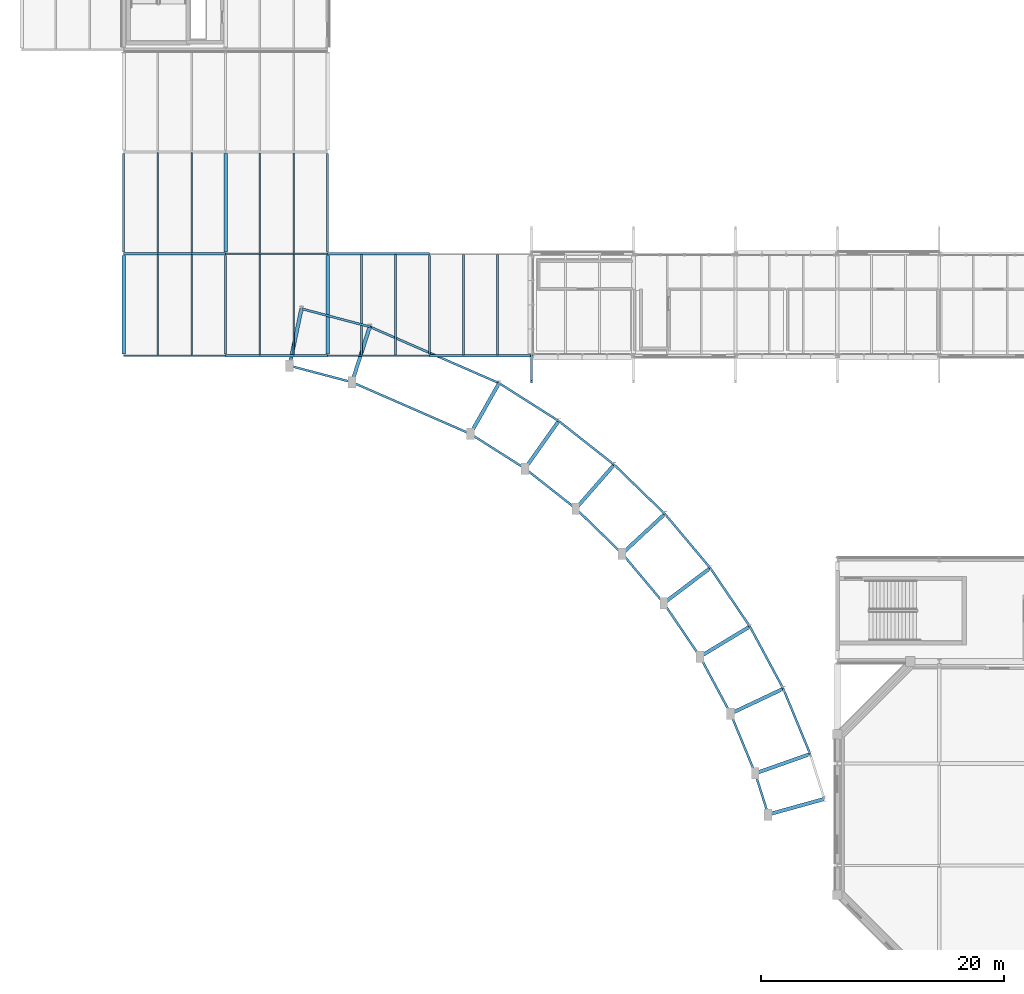
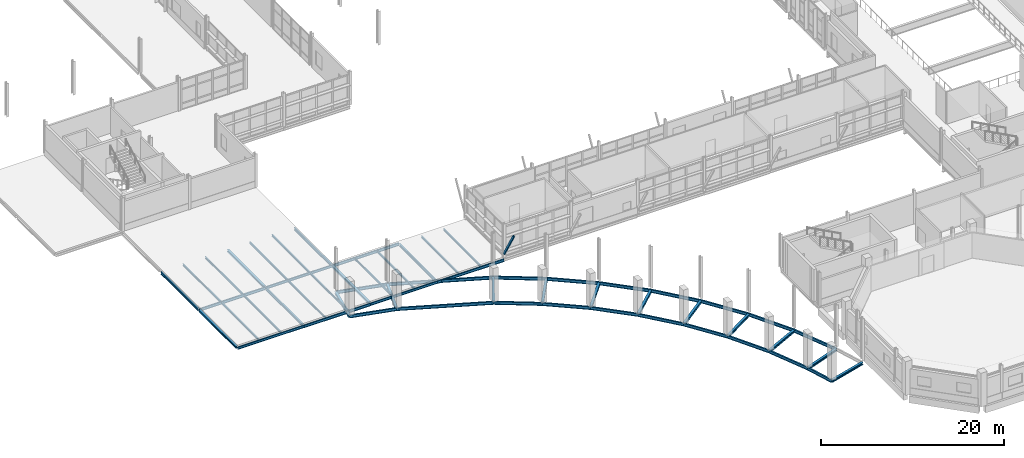
# One storey, part 19 of 129: 56 beams, 1 member.
"""IFC4 building model written with IfcOpenShell, lengths in metres."""

from ifc_helpers import new_model, si_unit, direction, frame, origin, origin_2d, place, context, subcontext, project, spatial, hollow_rectangle, i_section, extrude, material, material_profile, profile_set, type_object, element, save


model = new_model("IFC4")

# Units and contexts
model_context = context("Model", 3, precision=1e-05, world=origin(), true_north=direction((0.0, 1.0)))
body_context = subcontext(model_context, "Body", "Model", "MODEL_VIEW")
ifc_project = project(units=[si_unit("LENGTHUNIT", "METRE"), si_unit("AREAUNIT", "SQUARE_METRE"), si_unit("VOLUMEUNIT", "CUBIC_METRE"), si_unit("PLANEANGLEUNIT", "RADIAN"), si_unit("MASSUNIT", "GRAM", prefix="KILO")], contexts=[model_context])

# Site, building, storey
site_placement = place(None, origin())
site = spatial("IfcSite", under=ifc_project, at=site_placement, CompositionType="ELEMENT")
building_placement = place(site_placement, origin())
building = spatial("IfcBuilding", under=site, at=building_placement, Name="Mersafa Astral City Hall", CompositionType="ELEMENT")
storey_placement = place(building_placement, frame((0.0, 0.0, 5.39990234375)))
storey = spatial("IfcBuildingStorey", under=building, at=storey_placement, Name="L01", CompositionType="ELEMENT", Elevation=5.39990234375)

# Beams
ifc_material = material(Name="Steel S355", Category="steel")
ifc_material_profile_1 = material_profile(ifc_material, i_section(OverallWidth=0.300048828125, OverallDepth=0.31005859375, WebThickness=0.009033203125, FlangeThickness=0.015380859375, FilletRadius=0.027099609375, at=origin_2d()), Name="HEA 320")
ifc_profile_set_1 = profile_set([ifc_material_profile_1], Name="Steel S355")
beam_type_1 = type_object("IfcBeamType", Name="STR-BM-HEA320", PredefinedType="BEAM", material=ifc_profile_set_1)
for number, where, z_axis, x_axis, name in (
    (1, (22.06298828125, 49.57568359375, -0.429931640625), (0.20512604742, 0.97873556422, 0.0), (-0.97873556422, 0.20512604742, 0.0), "L01 Arcade radial tie beam 1"),
    (2, (27.21435546875, 48.217529296875, -0.429931640625), (0.304162941313, 0.952620021379, 0.0), (-0.952620021379, 0.304162941313, 0.0), "L01 Arcade radial tie beam 2"),
):
    element("IfcBeam", number, at=place(storey_placement, frame(where, z_axis=z_axis, x_axis=x_axis)), inside=storey, type_object=beam_type_1, Name=name, PredefinedType="BEAM", context=body_context, shape_type="SweptSolid", body=[
        extrude(i_section(OverallWidth=0.300048828125, OverallDepth=0.31005859375, WebThickness=0.009033203125, FlangeThickness=0.015380859375, FilletRadius=0.027099609375, at=origin_2d()), origin(), (0.0, 0.0, 1.0), 4.800048828125),
    ])
beam_1_placement = place(storey_placement, frame((36.96630859375, 43.9609375, -0.429931640625), z_axis=(0.491750513483, 0.870736144012, 0.0), x_axis=(-0.870736144012, 0.491750513483, 0.0)))
element("IfcBeam", 3, at=beam_1_placement, inside=storey, type_object=beam_type_1, Name="L01 Arcade radial tie beam 3", PredefinedType="BEAM", context=body_context, shape_type="SweptSolid", body=[
    extrude(i_section(OverallWidth=0.300048828125, OverallDepth=0.31005859375, WebThickness=0.009033203125, FlangeThickness=0.015380859375, FilletRadius=0.027099609375, at=origin_2d()), origin(), (0.0, 0.0, 1.0), 4.7998046875),
])
for number, where, z_axis, x_axis, name in (
    (4, (41.46484375, 41.107177734375, -0.429931640625), (0.578207839869, 0.815889510849, 0.0), (-0.815889510849, 0.578207839869, 0.0), "L01 Arcade radial tie beam 4"),
    (5, (45.647705078125, 37.808349609375, -0.429931640625), (0.658681036256, 0.752422283347, 0.0), (-0.752422283347, 0.658681036256, 0.0), "L01 Arcade radial tie beam 5"),
):
    element("IfcBeam", number, at=place(storey_placement, frame(where, z_axis=z_axis, x_axis=x_axis)), inside=storey, type_object=beam_type_1, Name=name, PredefinedType="BEAM", context=body_context, shape_type="SweptSolid", body=[
        extrude(i_section(OverallWidth=0.300048828125, OverallDepth=0.31005859375, WebThickness=0.009033203125, FlangeThickness=0.015380859375, FilletRadius=0.027099609375, at=origin_2d()), origin(), (0.0, 0.0, 1.0), 4.800048828125),
    ])
beam_2_placement = place(storey_placement, frame((49.47119140625, 34.0986328125, -0.429931640625), z_axis=(0.732179069522, 0.681112186174, 0.0), x_axis=(-0.681112186174, 0.732179069522, 0.0)))
element("IfcBeam", 6, at=beam_2_placement, inside=storey, type_object=beam_type_1, Name="L01 Arcade radial tie beam 6", PredefinedType="BEAM", context=body_context, shape_type="SweptSolid", body=[
    extrude(i_section(OverallWidth=0.300048828125, OverallDepth=0.31005859375, WebThickness=0.009033203125, FlangeThickness=0.015380859375, FilletRadius=0.027099609375, at=origin_2d()), origin(), (0.0, 0.0, 1.0), 4.7998046875),
])
for number, where, z_axis, x_axis, name in (
    (7, (52.89501953125, 30.017333984375, -0.429931640625), (0.798030386846, 0.602617209902, 0.0), (-0.602617209902, 0.798030386846, 0.0), "L01 Arcade radial tie beam 7"),
    (8, (55.88330078125, 25.607177734375, -0.429931640625), (0.855489406441, 0.517820311949, 0.0), (-0.517820311949, 0.855489406441, 0.0), "L01 Arcade radial tie beam 8"),
    (9, (58.40478515625, 20.914306640625, -0.429931640625), (0.903969691985, 0.427596534098, 0.0), (-0.427596534098, 0.903969691985, 0.0), "L01 Arcade radial tie beam 9"),
):
    element("IfcBeam", number, at=place(storey_placement, frame(where, z_axis=z_axis, x_axis=x_axis)), inside=storey, type_object=beam_type_1, Name=name, PredefinedType="BEAM", context=body_context, shape_type="SweptSolid", body=[
        extrude(i_section(OverallWidth=0.300048828125, OverallDepth=0.31005859375, WebThickness=0.009033203125, FlangeThickness=0.015380859375, FilletRadius=0.027099609375, at=origin_2d()), origin(), (0.0, 0.0, 1.0), 4.800048828125),
    ])
beam_3_placement = place(storey_placement, frame((60.432861328125, 15.98828125, -0.429931640625), z_axis=(0.942993150708, 0.332812135772, 0.0), x_axis=(-0.332812135772, 0.942993150708, 0.0)))
element("IfcBeam", 10, at=beam_3_placement, inside=storey, type_object=beam_type_1, Name="L01 Arcade radial tie beam 10", PredefinedType="BEAM", context=body_context, shape_type="SweptSolid", body=[
    extrude(i_section(OverallWidth=0.300048828125, OverallDepth=0.31005859375, WebThickness=0.009033203125, FlangeThickness=0.015380859375, FilletRadius=0.027099609375, at=origin_2d()), origin(), (0.0, 0.0, 1.0), 4.7998046875),
])
beam_4_placement = place(storey_placement, frame((61.5, 12.60009765625, -0.429931640625), z_axis=(0.963520824274, 0.267633370847, 0.0), x_axis=(-0.267633370847, 0.963520824274, 0.0)))
element("IfcBeam", 11, at=beam_4_placement, inside=storey, type_object=beam_type_1, Name="L01 Arcade radial tie beam 11", PredefinedType="BEAM", context=body_context, shape_type="SweptSolid", body=[
    extrude(i_section(OverallWidth=0.300048828125, OverallDepth=0.31005859375, WebThickness=0.009033203125, FlangeThickness=0.015380859375, FilletRadius=0.027099609375, at=origin_2d()), origin(), (0.0, 0.0, 1.0), 4.800048828125),
])
ifc_material_profile_2 = material_profile(ifc_material, i_section(OverallWidth=0.179931640625, OverallDepth=0.39990234375, WebThickness=0.008544921875, FlangeThickness=0.013427734375, FilletRadius=0.02099609375, at=origin_2d()), Name="IPE 400")
ifc_profile_set_2 = profile_set([ifc_material_profile_2], Name="Steel S355")
beam_type_2 = type_object("IfcBeamType", Name="STR-BM-IPE400", PredefinedType="BEAM", material=ifc_profile_set_2)
beam_5_placement = place(storey_placement, frame((22.06298828125, 49.57568359375, -0.429931640625), z_axis=(0.966957492264, -0.254937655425, 0.0), x_axis=(0.254937655425, 0.966957492264, 0.0)))
element("IfcBeam", 12, at=beam_5_placement, inside=storey, type_object=beam_type_2, Name="L01 Arcade outer colonnade tie beam 1", PredefinedType="BEAM", context=body_context, shape_type="SweptSolid", body=[
    extrude(i_section(OverallWidth=0.179931640625, OverallDepth=0.39990234375, WebThickness=0.008544921875, FlangeThickness=0.013427734375, FilletRadius=0.02099609375, at=origin_2d()), origin(), (0.0, 0.0, 1.0), 5.327392578125),
])
beam_6_placement = place(storey_placement, frame((23.047607421875, 54.273681640625, -0.429931640625), z_axis=(0.966950512339, -0.254964128237, 0.0), x_axis=(0.254964128237, 0.966950512339, 0.0)))
element("IfcBeam", 13, at=beam_6_placement, inside=storey, type_object=beam_type_2, Name="L01 Arcade inner colonnade tie beam 1", PredefinedType="BEAM", context=body_context, shape_type="SweptSolid", body=[
    extrude(i_section(OverallWidth=0.179931640625, OverallDepth=0.39990234375, WebThickness=0.008544921875, FlangeThickness=0.013427734375, FilletRadius=0.02099609375, at=origin_2d()), origin(), (0.0, 0.0, 1.0), 5.819091796875),
])
beam_7_placement = place(storey_placement, frame((27.21435546875, 48.217529296875, -0.429931640625), z_axis=(0.916498237671, -0.400038723558, 0.0), x_axis=(0.400038723558, 0.916498237671, 0.0)))
element("IfcBeam", 14, at=beam_7_placement, inside=storey, type_object=beam_type_2, Name="L01 Arcade outer colonnade tie beam 2", PredefinedType="BEAM", context=body_context, shape_type="SweptSolid", body=[
    extrude(i_section(OverallWidth=0.179931640625, OverallDepth=0.39990234375, WebThickness=0.008544921875, FlangeThickness=0.013427734375, FilletRadius=0.02099609375, at=origin_2d()), origin(), (0.0, 0.0, 1.0), 10.640380859375),
])
beam_8_placement = place(storey_placement, frame((28.67431640625, 52.7900390625, -0.429931640625), z_axis=(0.91649639449, -0.400042946302, 0.0), x_axis=(0.400042946302, 0.91649639449, 0.0)))
element("IfcBeam", 15, at=beam_8_placement, inside=storey, type_object=beam_type_2, Name="L01 Arcade inner colonnade tie beam 2", PredefinedType="BEAM", context=body_context, shape_type="SweptSolid", body=[
    extrude(i_section(OverallWidth=0.179931640625, OverallDepth=0.39990234375, WebThickness=0.008544921875, FlangeThickness=0.013427734375, FilletRadius=0.02099609375, at=origin_2d()), origin(), (0.0, 0.0, 1.0), 11.622802734375),
])
beam_9_placement = place(storey_placement, frame((36.96630859375, 43.9609375, -0.429931640625), z_axis=(0.844421111537, -0.535679929054, 0.0), x_axis=(0.535679929054, 0.844421111537, 0.0)))
element("IfcBeam", 16, at=beam_9_placement, inside=storey, type_object=beam_type_2, Name="L01 Arcade outer colonnade tie beam 3", PredefinedType="BEAM", context=body_context, shape_type="SweptSolid", body=[
    extrude(i_section(OverallWidth=0.179931640625, OverallDepth=0.39990234375, WebThickness=0.008544921875, FlangeThickness=0.013427734375, FilletRadius=0.02099609375, at=origin_2d()), origin(), (0.0, 0.0, 1.0), 5.327392578125),
])
beam_10_placement = place(storey_placement, frame((39.32666015625, 48.140380859375, -0.429931640625), z_axis=(0.844429425634, -0.53566682287, 0.0), x_axis=(0.53566682287, 0.844429425634, 0.0)))
element("IfcBeam", 17, at=beam_10_placement, inside=storey, type_object=beam_type_2, Name="L01 Arcade inner colonnade tie beam 3", PredefinedType="BEAM", context=body_context, shape_type="SweptSolid", body=[
    extrude(i_section(OverallWidth=0.179931640625, OverallDepth=0.39990234375, WebThickness=0.008544921875, FlangeThickness=0.013427734375, FilletRadius=0.02099609375, at=origin_2d()), origin(), (0.0, 0.0, 1.0), 5.81884765625),
])
beam_11_placement = place(storey_placement, frame((41.46484375, 41.107177734375, -0.429931640625), z_axis=(0.785195885273, -0.619247464064, 0.0), x_axis=(0.619247464064, 0.785195885273, 0.0)))
element("IfcBeam", 18, at=beam_11_placement, inside=storey, type_object=beam_type_2, Name="L01 Arcade outer colonnade tie beam 4", PredefinedType="BEAM", context=body_context, shape_type="SweptSolid", body=[
    extrude(i_section(OverallWidth=0.179931640625, OverallDepth=0.39990234375, WebThickness=0.008544921875, FlangeThickness=0.013427734375, FilletRadius=0.02099609375, at=origin_2d()), origin(), (0.0, 0.0, 1.0), 5.3271484375),
])
beam_12_placement = place(storey_placement, frame((44.240234375, 45.0234375, -0.429931640625), z_axis=(0.785188741174, -0.619256522561, 0.0), x_axis=(0.619256522561, 0.785188741174, 0.0)))
element("IfcBeam", 19, at=beam_12_placement, inside=storey, type_object=beam_type_2, Name="L01 Arcade inner colonnade tie beam 4", PredefinedType="BEAM", context=body_context, shape_type="SweptSolid", body=[
    extrude(i_section(OverallWidth=0.179931640625, OverallDepth=0.39990234375, WebThickness=0.008544921875, FlangeThickness=0.013427734375, FilletRadius=0.02099609375, at=origin_2d()), origin(), (0.0, 0.0, 1.0), 5.819091796875),
])
beam_13_placement = place(storey_placement, frame((45.647705078125, 37.808349609375, -0.429931640625), z_axis=(0.717703955253, -0.696348355792, 0.0), x_axis=(0.696348355792, 0.717703955253, 0.0)))
element("IfcBeam", 20, at=beam_13_placement, inside=storey, type_object=beam_type_2, Name="L01 Arcade outer colonnade tie beam 5", PredefinedType="BEAM", context=body_context, shape_type="SweptSolid", body=[
    extrude(i_section(OverallWidth=0.179931640625, OverallDepth=0.39990234375, WebThickness=0.008544921875, FlangeThickness=0.013427734375, FilletRadius=0.02099609375, at=origin_2d()), origin(), (0.0, 0.0, 1.0), 5.327392578125),
])
beam_14_placement = place(storey_placement, frame((48.809326171875, 41.419921875, -0.429931640625), z_axis=(0.717704026215, -0.696348282654, 0.0), x_axis=(0.696348282654, 0.717704026215, 0.0)))
element("IfcBeam", 21, at=beam_14_placement, inside=storey, type_object=beam_type_2, Name="L01 Arcade inner colonnade tie beam 5", PredefinedType="BEAM", context=body_context, shape_type="SweptSolid", body=[
    extrude(i_section(OverallWidth=0.179931640625, OverallDepth=0.39990234375, WebThickness=0.008544921875, FlangeThickness=0.013427734375, FilletRadius=0.02099609375, at=origin_2d()), origin(), (0.0, 0.0, 1.0), 5.81884765625),
])
beam_15_placement = place(storey_placement, frame((49.47119140625, 34.0986328125, -0.429931640625), z_axis=(0.642700779462, -0.766117293943, 0.0), x_axis=(0.766117293943, 0.642700779462, 0.0)))
element("IfcBeam", 22, at=beam_15_placement, inside=storey, type_object=beam_type_2, Name="L01 Arcade outer colonnade tie beam 6", PredefinedType="BEAM", context=body_context, shape_type="SweptSolid", body=[
    extrude(i_section(OverallWidth=0.179931640625, OverallDepth=0.39990234375, WebThickness=0.008544921875, FlangeThickness=0.013427734375, FilletRadius=0.02099609375, at=origin_2d()), origin(), (0.0, 0.0, 1.0), 5.3271484375),
])
beam_16_placement = place(storey_placement, frame((52.985595703125, 37.367919921875, -0.429931640625), z_axis=(0.64271474837, -0.766105575118, 0.0), x_axis=(0.766105575118, 0.64271474837, 0.0)))
element("IfcBeam", 23, at=beam_16_placement, inside=storey, type_object=beam_type_2, Name="L01 Arcade inner colonnade tie beam 6", PredefinedType="BEAM", context=body_context, shape_type="SweptSolid", body=[
    extrude(i_section(OverallWidth=0.179931640625, OverallDepth=0.39990234375, WebThickness=0.008544921875, FlangeThickness=0.013427734375, FilletRadius=0.02099609375, at=origin_2d()), origin(), (0.0, 0.0, 1.0), 5.819091796875),
])
beam_17_placement = place(storey_placement, frame((52.89501953125, 30.017333984375, -0.429931640625), z_axis=(0.560945421419, -0.827852785336, 0.0), x_axis=(0.827852785336, 0.560945421419, 0.0)))
element("IfcBeam", 24, at=beam_17_placement, inside=storey, type_object=beam_type_2, Name="L01 Arcade outer colonnade tie beam 7", PredefinedType="BEAM", context=body_context, shape_type="SweptSolid", body=[
    extrude(i_section(OverallWidth=0.179931640625, OverallDepth=0.39990234375, WebThickness=0.008544921875, FlangeThickness=0.013427734375, FilletRadius=0.02099609375, at=origin_2d()), origin(), (0.0, 0.0, 1.0), 5.3271484375),
])
beam_18_placement = place(storey_placement, frame((56.7255859375, 32.909912109375, -0.429931640625), z_axis=(0.560958537876, -0.827843897594, 0.0), x_axis=(0.827843897594, 0.560958537876, 0.0)))
element("IfcBeam", 25, at=beam_18_placement, inside=storey, type_object=beam_type_2, Name="L01 Arcade inner colonnade tie beam 7", PredefinedType="BEAM", context=body_context, shape_type="SweptSolid", body=[
    extrude(i_section(OverallWidth=0.179931640625, OverallDepth=0.39990234375, WebThickness=0.008544921875, FlangeThickness=0.013427734375, FilletRadius=0.02099609375, at=origin_2d()), origin(), (0.0, 0.0, 1.0), 5.81884765625),
])
beam_19_placement = place(storey_placement, frame((55.88330078125, 25.607177734375, -0.429931640625), z_axis=(0.473307108379, -0.88089748618, 0.0), x_axis=(0.88089748618, 0.473307108379, 0.0)))
element("IfcBeam", 26, at=beam_19_placement, inside=storey, type_object=beam_type_2, Name="L01 Arcade outer colonnade tie beam 8", PredefinedType="BEAM", context=body_context, shape_type="SweptSolid", body=[
    extrude(i_section(OverallWidth=0.179931640625, OverallDepth=0.39990234375, WebThickness=0.008544921875, FlangeThickness=0.013427734375, FilletRadius=0.02099609375, at=origin_2d()), origin(), (0.0, 0.0, 1.0), 5.327392578125),
])
beam_20_placement = place(storey_placement, frame((59.98974609375, 28.0927734375, -0.429931640625), z_axis=(0.47330150892, -0.880900494752, 0.0), x_axis=(0.880900494752, 0.47330150892, 0.0)))
element("IfcBeam", 27, at=beam_20_placement, inside=storey, type_object=beam_type_2, Name="L01 Arcade inner colonnade tie beam 8", PredefinedType="BEAM", context=body_context, shape_type="SweptSolid", body=[
    extrude(i_section(OverallWidth=0.179931640625, OverallDepth=0.39990234375, WebThickness=0.008544921875, FlangeThickness=0.013427734375, FilletRadius=0.02099609375, at=origin_2d()), origin(), (0.0, 0.0, 1.0), 5.819091796875),
])
beam_21_placement = place(storey_placement, frame((58.40478515625, 20.914306640625, -0.429931640625), z_axis=(0.380703704337, -0.924697079861, 0.0), x_axis=(0.924697079861, 0.380703704337, 0.0)))
element("IfcBeam", 28, at=beam_21_placement, inside=storey, type_object=beam_type_2, Name="L01 Arcade outer colonnade tie beam 9", PredefinedType="BEAM", context=body_context, shape_type="SweptSolid", body=[
    extrude(i_section(OverallWidth=0.179931640625, OverallDepth=0.39990234375, WebThickness=0.008544921875, FlangeThickness=0.013427734375, FilletRadius=0.02099609375, at=origin_2d()), origin(), (0.0, 0.0, 1.0), 5.3271484375),
])
beam_22_placement = place(storey_placement, frame((62.743896484375, 22.966796875, -0.429931640625), z_axis=(0.380652736941, -0.924718061822, 0.0), x_axis=(0.924718061822, 0.380652736941, 0.0)))
element("IfcBeam", 29, at=beam_22_placement, inside=storey, type_object=beam_type_2, Name="L01 Arcade inner colonnade tie beam 9", PredefinedType="BEAM", context=body_context, shape_type="SweptSolid", body=[
    extrude(i_section(OverallWidth=0.179931640625, OverallDepth=0.39990234375, WebThickness=0.008544921875, FlangeThickness=0.013427734375, FilletRadius=0.02099609375, at=origin_2d()), origin(), (0.0, 0.0, 1.0), 5.819091796875),
])
beam_23_placement = place(storey_placement, frame((60.432861328125, 15.98828125, -0.429931640625), z_axis=(0.300410934376, -0.953809871257, 0.0), x_axis=(0.953809871257, 0.300410934376, 0.0)))
element("IfcBeam", 30, at=beam_23_placement, inside=storey, type_object=beam_type_2, Name="L01 Arcade outer colonnade tie beam 10", PredefinedType="BEAM", context=body_context, shape_type="SweptSolid", body=[
    extrude(i_section(OverallWidth=0.179931640625, OverallDepth=0.39990234375, WebThickness=0.008544921875, FlangeThickness=0.013427734375, FilletRadius=0.02099609375, at=origin_2d()), origin(), (0.0, 0.0, 1.0), 3.55224609375),
])
ifc_material_profile_3 = material_profile(ifc_material, i_section(OverallWidth=0.135009765625, OverallDepth=0.27001953125, WebThickness=0.006591796875, FlangeThickness=0.01025390625, FilletRadius=0.014892578125, at=origin_2d()), Name="IPE 270")
ifc_profile_set_3 = profile_set([ifc_material_profile_3], Name="Steel S355")
beam_type_3 = type_object("IfcBeamType", Name="STR-BM-JOIST-IPE270", PredefinedType="JOIST", material=ifc_profile_set_3)
for number, where, z_axis, x_axis, name in (
    (31, (11.199951171875, 50.47509765625, -0.35986328125), (0.0, 1.0, 0.0), (-1.0, 0.0, 0.0), "L01 Flat roof secondary joist 5"),
    (32, (14.0, 50.47509765625, -0.35986328125), (0.0, 1.0, 0.0), (-1.0, 0.0, 0.0), "L01 Flat roof secondary joist 6"),
):
    element("IfcBeam", number, at=place(storey_placement, frame(where, z_axis=z_axis, x_axis=x_axis)), inside=storey, type_object=beam_type_3, Name=name, PredefinedType="JOIST", context=body_context, shape_type="SweptSolid", body=[
        extrude(i_section(OverallWidth=0.135009765625, OverallDepth=0.27001953125, WebThickness=0.006591796875, FlangeThickness=0.01025390625, FilletRadius=0.014892578125, at=origin_2d()), origin(), (0.0, 0.0, 1.0), 8.244873046875),
    ])
for number, where, z_axis, x_axis, name in (
    (33, (11.199951171875, 58.8798828125, -0.35986328125), (0.0, 1.0, 0.0), (-1.0, 0.0, 0.0), "L01 Flat roof secondary joist 7"),
    (34, (14.0, 58.8798828125, -0.35986328125), (0.0, 1.0, 0.0), (-1.0, 0.0, 0.0), "L01 Flat roof secondary joist 8"),
    (35, (19.60009765625, 50.47998046875, -0.35986328125), (0.0, 1.0, 0.0), (-1.0, 0.0, 0.0), "L01 Flat roof secondary joist 11"),
    (36, (22.39990234375, 50.47998046875, -0.35986328125), (0.0, 1.0, 0.0), (-1.0, 0.0, 0.0), "L01 Flat roof secondary joist 12"),
    (37, (19.60009765625, 58.875, -0.35986328125), (0.0, 1.0, 0.0), (-1.0, 0.0, 0.0), "L01 Flat roof secondary joist 13"),
    (38, (22.39990234375, 58.875, -0.35986328125), (0.0, 1.0, 0.0), (-1.0, 0.0, 0.0), "L01 Flat roof secondary joist 14"),
):
    element("IfcBeam", number, at=place(storey_placement, frame(where, z_axis=z_axis, x_axis=x_axis)), inside=storey, type_object=beam_type_3, Name=name, PredefinedType="JOIST", context=body_context, shape_type="SweptSolid", body=[
        extrude(i_section(OverallWidth=0.135009765625, OverallDepth=0.27001953125, WebThickness=0.006591796875, FlangeThickness=0.01025390625, FilletRadius=0.014892578125, at=origin_2d()), origin(), (0.0, 0.0, 1.0), 8.2451171875),
    ])
for number, where, z_axis, x_axis, name in (
    (39, (28.0, 50.47509765625, -0.35986328125), (0.0, 1.0, 0.0), (-1.0, 0.0, 0.0), "L01 Flat roof secondary joist 17"),
    (40, (30.800048828125, 50.47509765625, -0.35986328125), (0.0, 1.0, 0.0), (-1.0, 0.0, 0.0), "L01 Flat roof secondary joist 18"),
):
    element("IfcBeam", number, at=place(storey_placement, frame(where, z_axis=z_axis, x_axis=x_axis)), inside=storey, type_object=beam_type_3, Name=name, PredefinedType="JOIST", context=body_context, shape_type="SweptSolid", body=[
        extrude(i_section(OverallWidth=0.135009765625, OverallDepth=0.27001953125, WebThickness=0.006591796875, FlangeThickness=0.01025390625, FilletRadius=0.014892578125, at=origin_2d()), origin(), (0.0, 0.0, 1.0), 8.244873046875),
    ])
for number, where, z_axis, x_axis, name in (
    (41, (36.39990234375, 50.47998046875, -0.35986328125), (0.0, 1.0, 0.0), (-1.0, 0.0, 0.0), "L01 Flat roof secondary joist 27"),
    (42, (39.199951171875, 50.47998046875, -0.35986328125), (0.0, 1.0, 0.0), (-1.0, 0.0, 0.0), "L01 Flat roof secondary joist 28"),
):
    element("IfcBeam", number, at=place(storey_placement, frame(where, z_axis=z_axis, x_axis=x_axis)), inside=storey, type_object=beam_type_3, Name=name, PredefinedType="JOIST", context=body_context, shape_type="SweptSolid", body=[
        extrude(i_section(OverallWidth=0.135009765625, OverallDepth=0.27001953125, WebThickness=0.006591796875, FlangeThickness=0.01025390625, FilletRadius=0.014892578125, at=origin_2d()), origin(), (0.0, 0.0, 1.0), 8.2451171875),
    ])
ifc_material_profile_4 = material_profile(ifc_material, i_section(OverallWidth=0.280029296875, OverallDepth=0.27001953125, WebThickness=0.008056640625, FlangeThickness=0.012939453125, FilletRadius=0.02392578125, at=origin_2d()), Name="HEA 280")
ifc_profile_set_4 = profile_set([ifc_material_profile_4], Name="Steel S355")
beam_type_4 = type_object("IfcBeamType", Name="STR-BM-SPANDREL-HEA280", PredefinedType="SPANDREL", material=ifc_profile_set_4)
beam_24_placement = place(storey_placement, frame((8.39990234375, 50.544921875, -0.35986328125), z_axis=(0.0, 1.0, 0.0), x_axis=(-1.0, 0.0, 0.0)))
element("IfcBeam", 43, at=beam_24_placement, inside=storey, type_object=beam_type_4, Name="L01 Primary girder Y 1-6", PredefinedType="SPANDREL", context=body_context, shape_type="SweptSolid", body=[
    extrude(i_section(OverallWidth=0.280029296875, OverallDepth=0.27001953125, WebThickness=0.008056640625, FlangeThickness=0.012939453125, FilletRadius=0.02392578125, at=origin_2d()), origin(), (0.0, 0.0, 1.0), 8.110107421875),
])
beam_25_placement = place(storey_placement, frame((16.800048828125, 58.945068359375, -0.35986328125), z_axis=(0.0, 1.0, 0.0), x_axis=(-1.0, 0.0, 0.0)))
element("IfcBeam", 44, at=beam_25_placement, inside=storey, type_object=beam_type_4, Name="L01 Primary girder Y 2-7", PredefinedType="SPANDREL", context=body_context, shape_type="SweptSolid", body=[
    extrude(i_section(OverallWidth=0.280029296875, OverallDepth=0.27001953125, WebThickness=0.008056640625, FlangeThickness=0.012939453125, FilletRadius=0.02392578125, at=origin_2d()), origin(), (0.0, 0.0, 1.0), 8.10986328125),
])
beam_26_placement = place(storey_placement, frame((25.199951171875, 50.544921875, -0.35986328125), z_axis=(0.0, 1.0, 0.0), x_axis=(-1.0, 0.0, 0.0)))
element("IfcBeam", 45, at=beam_26_placement, inside=storey, type_object=beam_type_4, Name="L01 Primary girder Y 3-6", PredefinedType="SPANDREL", context=body_context, shape_type="SweptSolid", body=[
    extrude(i_section(OverallWidth=0.280029296875, OverallDepth=0.27001953125, WebThickness=0.008056640625, FlangeThickness=0.012939453125, FilletRadius=0.02392578125, at=origin_2d()), origin(), (0.0, 0.0, 1.0), 8.110107421875),
])
ifc_material_profile_5 = material_profile(ifc_material, i_section(OverallWidth=0.159912109375, OverallDepth=0.330078125, WebThickness=0.007568359375, FlangeThickness=0.011474609375, FilletRadius=0.01806640625, at=origin_2d()), Name="IPE 330")
ifc_profile_set_5 = profile_set([ifc_material_profile_5], Name="Steel S355")
beam_type_5 = type_object("IfcBeamType", Name="STR-BM-SPANDREL-IPE330", PredefinedType="SPANDREL", material=ifc_profile_set_5)
for number, where, z_axis, x_axis, name in (
    (46, (8.403076171875, 50.39990234375, -0.389892578125), (1.0, 0.0, 0.0), (0.0, 1.0, 0.0), "L01 Primary girder X 1-6"),
    (47, (25.202880859375, 50.39990234375, -0.389892578125), (1.0, 0.0, 0.0), (0.0, 1.0, 0.0), "L01 Primary girder X 3-6"),
    (48, (16.802978515625, 58.800048828125, -0.389892578125), (1.0, 0.0, 0.0), (0.0, 1.0, 0.0), "L01 Primary girder X 2-7"),
):
    element("IfcBeam", number, at=place(storey_placement, frame(where, z_axis=z_axis, x_axis=x_axis)), inside=storey, type_object=beam_type_5, Name=name, PredefinedType="SPANDREL", context=body_context, shape_type="SweptSolid", body=[
        extrude(i_section(OverallWidth=0.159912109375, OverallDepth=0.330078125, WebThickness=0.007568359375, FlangeThickness=0.011474609375, FilletRadius=0.01806640625, at=origin_2d()), origin(), (0.0, 0.0, 1.0), 8.39404296875),
    ])
ifc_material_profile_6 = material_profile(ifc_material, i_section(OverallWidth=0.169921875, OverallDepth=0.360107421875, WebThickness=0.008056640625, FlangeThickness=0.0126953125, FilletRadius=0.01806640625, at=origin_2d()), Name="IPE 360")
ifc_profile_set_6 = profile_set([ifc_material_profile_6], Name="Steel S355")
beam_type_6 = type_object("IfcBeamType", Name="STR-BM-SPANDREL-IPE360", PredefinedType="SPANDREL", material=ifc_profile_set_6)
for number, where, z_axis, x_axis, name in (
    (49, (16.802978515625, 50.39990234375, -0.40478515625), (1.0, 0.0, 0.0), (0.0, 1.0, 0.0), "L01 Primary girder X 2-6"),
    (50, (33.60302734375, 50.39990234375, -0.40478515625), (1.0, 0.0, 0.0), (0.0, 1.0, 0.0), "L01 Primary girder X 4-6"),
    (51, (8.403076171875, 58.800048828125, -0.40478515625), (1.0, 0.0, 0.0), (0.0, 1.0, 0.0), "L01 Primary girder X 1-7"),
    (52, (25.202880859375, 58.800048828125, -0.40478515625), (1.0, 0.0, 0.0), (0.0, 1.0, 0.0), "L01 Primary girder X 3-7"),
):
    element("IfcBeam", number, at=place(storey_placement, frame(where, z_axis=z_axis, x_axis=x_axis)), inside=storey, type_object=beam_type_6, Name=name, PredefinedType="SPANDREL", context=body_context, shape_type="SweptSolid", body=[
        extrude(i_section(OverallWidth=0.169921875, OverallDepth=0.360107421875, WebThickness=0.008056640625, FlangeThickness=0.0126953125, FilletRadius=0.01806640625, at=origin_2d()), origin(), (0.0, 0.0, 1.0), 8.39404296875),
    ])
beam_27_placement = place(storey_placement, frame((8.39990234375, 58.945068359375, -0.40478515625), z_axis=(0.0, 1.0, 0.0), x_axis=(-1.0, 0.0, 0.0)))
element("IfcBeam", 53, at=beam_27_placement, inside=storey, type_object=beam_type_6, Name="L01 Primary girder Y 1-7", PredefinedType="SPANDREL", context=body_context, shape_type="SweptSolid", body=[
    extrude(i_section(OverallWidth=0.169921875, OverallDepth=0.360107421875, WebThickness=0.008056640625, FlangeThickness=0.0126953125, FilletRadius=0.01806640625, at=origin_2d()), origin(), (0.0, 0.0, 1.0), 8.10986328125),
])
beam_28_placement = place(storey_placement, frame((16.800048828125, 50.544921875, -0.40478515625), z_axis=(0.0, 1.0, 0.0), x_axis=(-1.0, 0.0, 0.0)))
element("IfcBeam", 54, at=beam_28_placement, inside=storey, type_object=beam_type_6, Name="L01 Primary girder Y 2-6", PredefinedType="SPANDREL", context=body_context, shape_type="SweptSolid", body=[
    extrude(i_section(OverallWidth=0.169921875, OverallDepth=0.360107421875, WebThickness=0.008056640625, FlangeThickness=0.0126953125, FilletRadius=0.01806640625, at=origin_2d()), origin(), (0.0, 0.0, 1.0), 8.110107421875),
])
beam_29_placement = place(storey_placement, frame((25.199951171875, 58.945068359375, -0.40478515625), z_axis=(0.0, 1.0, 0.0), x_axis=(-1.0, 0.0, 0.0)))
element("IfcBeam", 55, at=beam_29_placement, inside=storey, type_object=beam_type_6, Name="L01 Primary girder Y 3-7", PredefinedType="SPANDREL", context=body_context, shape_type="SweptSolid", body=[
    extrude(i_section(OverallWidth=0.169921875, OverallDepth=0.360107421875, WebThickness=0.008056640625, FlangeThickness=0.0126953125, FilletRadius=0.01806640625, at=origin_2d()), origin(), (0.0, 0.0, 1.0), 8.10986328125),
])
beam_30_placement = place(storey_placement, frame((33.60009765625, 50.544921875, -0.40478515625), z_axis=(0.0, 1.0, 0.0), x_axis=(-1.0, 0.0, 0.0)))
element("IfcBeam", 56, at=beam_30_placement, inside=storey, type_object=beam_type_6, Name="L01 Primary girder Y 4-6", PredefinedType="SPANDREL", context=body_context, shape_type="SweptSolid", body=[
    extrude(i_section(OverallWidth=0.169921875, OverallDepth=0.360107421875, WebThickness=0.008056640625, FlangeThickness=0.0126953125, FilletRadius=0.01806640625, at=origin_2d()), origin(), (0.0, 0.0, 1.0), 8.110107421875),
])

# Member
ifc_material_profile_7 = material_profile(ifc_material, hollow_rectangle(XDim=0.14990234375, YDim=0.25, WallThickness=0.010009765625, at=origin_2d()), Name="RHS 150x250x10")
ifc_profile_set_7 = profile_set([ifc_material_profile_7], Name="Steel S355")
member_type = type_object("IfcMemberType", Name="STR-MBR-STRUT-RHS150X250", PredefinedType="BRACE", material=ifc_profile_set_7)
member_placement = place(storey_placement, frame((42.0, 50.39990234375, 0.400146484375), z_axis=(0.0, -0.503423090929, 0.864040040461), x_axis=(1.0, 0.0, 0.0)))
element("IfcMember", 57, at=member_placement, inside=storey, type_object=member_type, Name="L01 Raked cosmic eave strut ROOF-T3-V4S S-5", PredefinedType="BRACE", context=body_context, shape_type="SweptSolid", body=[
    extrude(hollow_rectangle(XDim=0.14990234375, YDim=0.25, WallThickness=0.010009765625, at=origin_2d()), origin(), (0.0, 0.0, 1.0), 4.2705078125),
])

save(model, "model.ifc")
